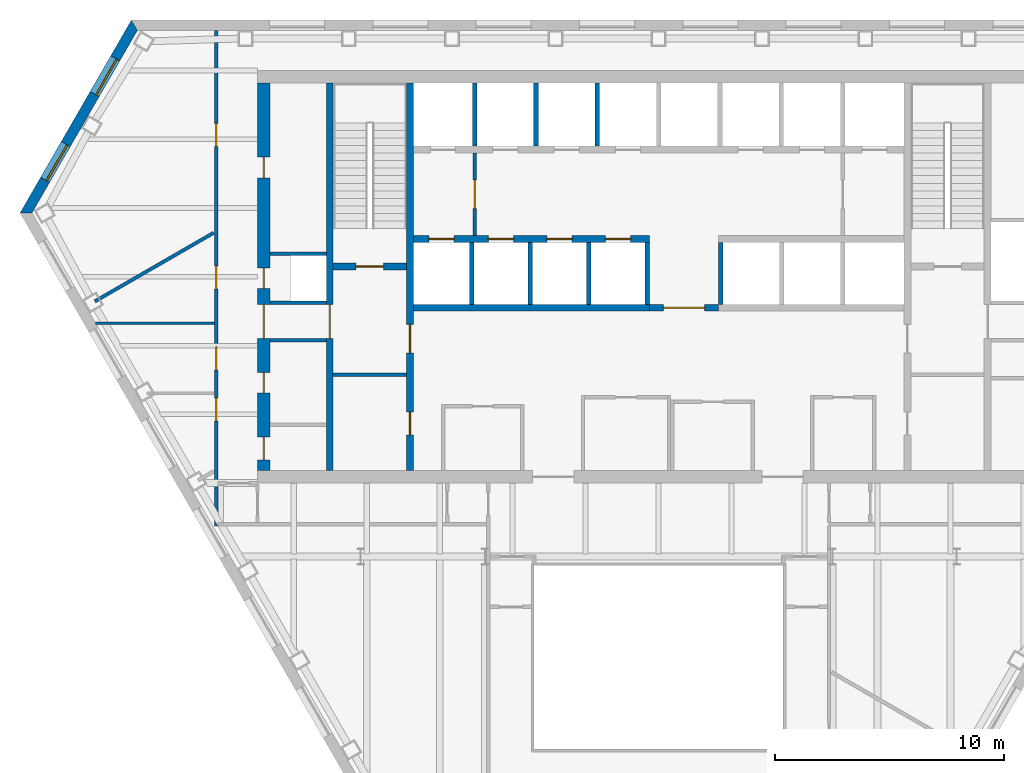
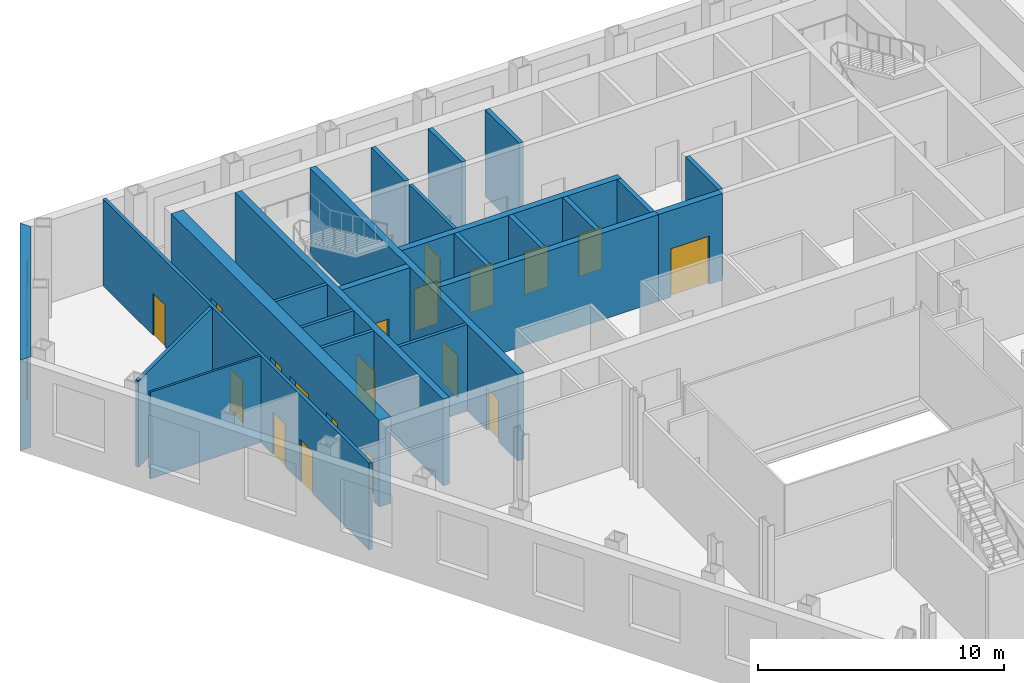
# One storey, part 6 of 11: 24 walls, 19 doors, 2 windows, 21 openings.
"""IFC4 building model written with IfcOpenShell, lengths in metres."""

import ifcopenshell
import ifcopenshell.guid

model = None  # the IFC model being written
_history = None  # IfcOwnerHistory: only IFC2X3 demands one
_inside = {}  # id of a spatial element -> (the spatial element, [elements in it])
_under = {}  # id of a project, library or spatial element -> (it, [spatial elements below it])
_declared = {}  # id of a project -> (the project, [libraries it declares])
_typed = {}  # id of a type object -> (the type object, [elements of that type])
_made_of = {}  # id of a material, layer set ... -> (it, [elements and type objects made of it])


def new_model(schema):
    """Start an empty IFC model of exactly this schema.

    Asked for "IFC4X3", IfcOpenShell would pick the latest addendum, in which some entities
    have other attributes; the version numbers below select the first issue.
    IFC2X3 requires an IfcOwnerHistory on every rooted entity: one is made here for all.
    """
    global model, _history
    if schema == "IFC4X3":
        model = ifcopenshell.file(schema_version=(4, 3, 0, 0))
    else:
        model = ifcopenshell.file(schema=schema)
    _inside.clear()
    _under.clear()
    _declared.clear()
    _typed.clear()
    _made_of.clear()
    _history = None
    if model.schema == "IFC2X3":
        org = make("IfcOrganization", Name="unknown")
        user = make(
            "IfcPersonAndOrganization",
            ThePerson=make("IfcPerson", FamilyName="unknown"),
            TheOrganization=org,
        )
        app = make(
            "IfcApplication",
            ApplicationDeveloper=org,
            Version="unknown",
            ApplicationFullName="unknown",
            ApplicationIdentifier="unknown",
        )
        _history = make(
            "IfcOwnerHistory",
            OwningUser=user,
            OwningApplication=app,
            ChangeAction="ADDED",
            CreationDate=0,
        )
    return model


def make(cls, **values):
    """One entity of the class cls with the attributes given. An attribute that is None is left unset."""
    return model.create_entity(
        cls, **{name: value for name, value in values.items() if value is not None}
    )


def rooted(cls, **values):
    """An entity with a GlobalId (a new one), such as an element, a storey or a relation."""
    return make(cls, GlobalId=ifcopenshell.guid.new(), OwnerHistory=_history, **values)


def si_unit(unit_type, name, prefix=None):
    """IfcSIUnit, for example si_unit("LENGTHUNIT", "METRE", prefix="MILLI")."""
    return make("IfcSIUnit", UnitType=unit_type, Prefix=prefix, Name=name)


def assignment(units):
    """IfcUnitAssignment: the units of a project."""
    return None if units is None else make("IfcUnitAssignment", Units=units)


def point(xyz):
    """IfcCartesianPoint."""
    return None if xyz is None else make("IfcCartesianPoint", Coordinates=xyz)


def direction(xyz):
    """IfcDirection."""
    return None if xyz is None else make("IfcDirection", DirectionRatios=xyz)


def frame(location, z_axis=None, x_axis=None):
    """IfcAxis2Placement3D, a coordinate frame: its origin and axes. An axis left out is left unset."""
    return make(
        "IfcAxis2Placement3D",
        Location=point(location),
        Axis=direction(z_axis),
        RefDirection=direction(x_axis),
    )


def frame_2d(location, x_axis=None):
    """IfcAxis2Placement2D, a coordinate frame in the plane: its origin and x axis."""
    return make(
        "IfcAxis2Placement2D", Location=point(location), RefDirection=direction(x_axis)
    )


def origin():
    """The frame at (0, 0, 0) with its axes left unset."""
    return frame((0.0, 0.0, 0.0))


def place(relative_to, where):
    """IfcLocalPlacement: puts the frame where relative to a parent placement (None: the world)."""
    return make(
        "IfcLocalPlacement", PlacementRelTo=relative_to, RelativePlacement=where
    )


def context(
    kind, dimensions, precision=None, world=None, true_north=None, identifier=None
):
    """IfcGeometricRepresentationContext, for example the 3D "Model" context."""
    return make(
        "IfcGeometricRepresentationContext",
        ContextIdentifier=identifier,
        ContextType=kind,
        CoordinateSpaceDimension=dimensions,
        Precision=precision,
        WorldCoordinateSystem=world,
        TrueNorth=true_north,
    )


def subcontext(parent, identifier, kind, view, scale=None):
    """IfcGeometricRepresentationSubContext, for example "Body" below "Model"."""
    return make(
        "IfcGeometricRepresentationSubContext",
        ContextIdentifier=identifier,
        ContextType=kind,
        ParentContext=parent,
        TargetScale=scale,
        TargetView=view,
    )


def project(units=None, contexts=None):
    """IfcProject with its units and contexts."""
    return rooted(
        "IfcProject",
        Name="project",
        RepresentationContexts=contexts,
        UnitsInContext=assignment(units),
    )


def spatial(cls, under=None, at=None, **own):
    """A site, building, storey or space (cls), placed at a placement, below another one or the project."""
    s = rooted(cls, ObjectPlacement=at, **own)
    if under is not None:
        _under.setdefault(under.id(), (under, []))[1].append(s)
    return s


def polyline(points):
    """IfcPolyline through the points."""
    return make("IfcPolyline", Points=[point(p) for p in points])


def profile(cls, at=None, kind="AREA", **sizes):
    """A parametric profile (cls). Its sizes go by their IFC names, for example OverallWidth=200.0."""
    return make(cls, ProfileType=kind, Position=at, **sizes)


def rectangle(**sizes):
    """IfcRectangleProfileDef."""
    return profile("IfcRectangleProfileDef", **sizes)


def outline(outer, holes=None, kind="AREA"):
    """IfcArbitraryClosedProfileDef: a profile drawn as a closed curve; with holes, ...WithVoids."""
    if holes is None:
        return make("IfcArbitraryClosedProfileDef", ProfileType=kind, OuterCurve=outer)
    return make(
        "IfcArbitraryProfileDefWithVoids",
        ProfileType=kind,
        OuterCurve=outer,
        InnerCurves=holes,
    )


def extrude(swept, where, along, depth):
    """IfcExtrudedAreaSolid: the profile swept, set in the frame where, extruded along a direction by depth."""
    return make(
        "IfcExtrudedAreaSolid",
        SweptArea=swept,
        Position=where,
        ExtrudedDirection=direction(along),
        Depth=depth,
    )


def shape(context_of_items, identifier, shape_type, items):
    """IfcShapeRepresentation: the items that make up one representation, for example the "Body"."""
    return make(
        "IfcShapeRepresentation",
        ContextOfItems=context_of_items,
        RepresentationIdentifier=identifier,
        RepresentationType=shape_type,
        Items=items,
    )


def material(Name=None, Category=None):
    """IfcMaterial."""
    return make("IfcMaterial", Name=Name, Category=Category)


def layer(
    of_material, thickness, ventilated=None, Name=None, Category=None, Priority=None
):
    """IfcMaterialLayer: one layer of a wall or slab, of a material (None: an air gap)."""
    return make(
        "IfcMaterialLayer",
        Material=of_material,
        LayerThickness=thickness,
        IsVentilated=ventilated,
        Name=Name,
        Category=Category,
        Priority=Priority,
    )


def layer_set(layers, Name=None):
    """IfcMaterialLayerSet."""
    return make("IfcMaterialLayerSet", MaterialLayers=layers, LayerSetName=Name)


def made_of(thing, what):
    """Note that an element or type object is made of a material, layer set ...; save() writes the relation."""
    if what is not None:
        _made_of.setdefault(what.id(), (what, []))[1].append(thing)
    return thing


def type_object(cls, material=None, **own):
    """A type object (cls), such as IfcWallType, which elements share."""
    return made_of(rooted(cls, **own), material)


def element(
    cls,
    number,
    at=None,
    inside=None,
    cuts=None,
    type_object=None,
    material=None,
    context=None,
    identifier="Body",
    shape_type=None,
    held_by="IfcProductDefinitionShape",
    body=None,
    shapes=None,
    **own,
):
    """One element of the class cls, such as IfcWall. Its Tag is "e" and its number.

    at: its placement. inside: the storey or other place that contains it. cuts: it is an
    opening in that element (IfcRelVoidsElement). A single representation is given by context,
    identifier, shape_type and body (its items); several are given by shapes. held_by: the class
    of the entity that holds the representations. save() writes the other relations.
    """
    e = rooted(cls, Tag="e%d" % number, ObjectPlacement=at, **own)
    if body is not None:
        shapes = [shape(context, identifier, shape_type, body)]
    if shapes is not None:
        e.Representation = make(held_by, Representations=shapes)
    if inside is not None:
        _inside.setdefault(inside.id(), (inside, []))[1].append(e)
    if cuts is not None:
        rooted(
            "IfcRelVoidsElement", RelatingBuildingElement=cuts, RelatedOpeningElement=e
        )
    if type_object is not None:
        _typed.setdefault(type_object.id(), (type_object, []))[1].append(e)
    return made_of(e, material)


def fill(opening, filler):
    """IfcRelFillsElement: the door or window that sits in an opening."""
    return rooted(
        "IfcRelFillsElement",
        RelatingOpeningElement=opening,
        RelatedBuildingElement=filler,
    )


def aggregate(whole, parts):
    """IfcRelAggregates: a whole, such as a stair, and the parts it consists of."""
    return rooted("IfcRelAggregates", RelatingObject=whole, RelatedObjects=parts)


def save(model, path):
    """Write the relations noted so far, then the file.

    IfcRelAggregates (storeys below a building ...), IfcRelContainedInSpatialStructure (elements
    in a storey), IfcRelDefinesByType, IfcRelAssociatesMaterial and IfcRelDeclares: one each for
    every whole, place, type object, material and project.
    """
    for whole, parts in _under.values():
        aggregate(whole, parts)
    for where, things in _inside.values():
        rooted(
            "IfcRelContainedInSpatialStructure",
            RelatedElements=things,
            RelatingStructure=where,
        )
    for kind, things in _typed.values():
        rooted("IfcRelDefinesByType", RelatedObjects=things, RelatingType=kind)
    for what, things in _made_of.values():
        rooted("IfcRelAssociatesMaterial", RelatedObjects=things, RelatingMaterial=what)
    for by, libraries in _declared.values():
        rooted("IfcRelDeclares", RelatingContext=by, RelatedDefinitions=libraries)
    model.write(path)


model = new_model("IFC4")

# Units and contexts
model_context = context("Model", 3, precision=1e-05, world=origin(), true_north=direction((0.0, 1.0)))
body_context = subcontext(model_context, "Body", "Model", "MODEL_VIEW")
ifc_project = project(units=[si_unit("LENGTHUNIT", "METRE"), si_unit("AREAUNIT", "SQUARE_METRE"), si_unit("VOLUMEUNIT", "CUBIC_METRE"), si_unit("PLANEANGLEUNIT", "RADIAN"), si_unit("MASSUNIT", "GRAM", prefix="KILO")], contexts=[model_context])

# Site, building, storey
site_placement = place(None, origin())
site = spatial("IfcSite", under=ifc_project, at=site_placement, CompositionType="ELEMENT")
building_placement = place(site_placement, origin())
building = spatial("IfcBuilding", under=site, at=building_placement, Name="Njiva Tower", CompositionType="ELEMENT")
storey_placement = place(building_placement, frame((0.0, 0.0, 115.8)))
storey = spatial("IfcBuildingStorey", under=building, at=storey_placement, Name="L24", CompositionType="ELEMENT", Elevation=115.8)

# Wall
ifc_material_1 = material(Name="Blockwork", Category="masonry")
ifc_layer_1 = layer(ifc_material_1, 0.15)
ifc_layer_set_1 = layer_set([ifc_layer_1], Name="Blockwork")
wall_type_1 = type_object("IfcWallType", Name="WT1 Compartment partition 150", PredefinedType="PARTITIONING", material=ifc_layer_set_1)
wall_1_placement = place(storey_placement, frame((-14.2, 4.725, 0.0), z_axis=(0.0, 0.0, 1.0), x_axis=(1.0, 0.0, 0.0)))
element("IfcWall", 1, at=wall_1_placement, inside=storey, type_object=wall_type_1, Name="Room wall A", PredefinedType="PARTITIONING", context=body_context, shape_type="SweptSolid", body=[
    extrude(rectangle(XDim=3.2, YDim=0.15, at=frame_2d((1.6, 0.0))), origin(), (0.0, 0.0, 1.0), 4.3),
])

# Wall, openings, doors
ifc_material_2 = material(Name="Concrete C40/50", Category="concrete")
ifc_layer_2 = layer(ifc_material_2, 0.3)
ifc_layer_set_2 = layer_set([ifc_layer_2], Name="Concrete C40/50")
wall_type_2 = type_object("IfcWallType", Name="WT10 Stair enclosure wall 300", PredefinedType="SHEAR", material=ifc_layer_set_2)
wall_2_placement = place(storey_placement, frame((-10.85, 0.55, 0.0), z_axis=(0.0, 0.0, 1.0), x_axis=(0.0, 1.0, 0.0)))
wall_2 = element("IfcWall", 2, at=wall_2_placement, inside=storey, type_object=wall_type_2, Name="Stair wall west inner", PredefinedType="SHEAR", context=body_context, shape_type="SweptSolid", body=[
    extrude(rectangle(XDim=16.9, YDim=0.3, at=frame_2d((8.45, 0.0))), origin(), (0.0, 0.0, 1.0), 4.3),
])
opening_1_placement = place(wall_2_placement, frame((5.125, 0.0, 0.0)))
opening_1 = element("IfcOpeningElement", 3, at=opening_1_placement, cuts=wall_2, Name="Opening S08-D914", PredefinedType="OPENING", context=body_context, shape_type="SweptSolid", body=[
    extrude(rectangle(XDim=1.25, YDim=2.1, at=frame_2d((0.625, 1.05))), frame((0.0, 0.16, 0.0), z_axis=(0.0, -1.0, 0.0), x_axis=(1.0, 0.0, 0.0)), (0.0, 0.0, 1.0), 0.32),
])
opening_2_placement = place(wall_2_placement, frame((1.55, 0.0, 0.0)))
opening_2 = element("IfcOpeningElement", 4, at=opening_2_placement, cuts=wall_2, Name="Opening S08-D915", PredefinedType="OPENING", context=body_context, shape_type="SweptSolid", body=[
    extrude(rectangle(XDim=1.0, YDim=2.1, at=frame_2d((0.5, 1.05))), frame((0.0, 0.16, 0.0), z_axis=(0.0, -1.0, 0.0), x_axis=(1.0, 0.0, 0.0)), (0.0, 0.0, 1.0), 0.32),
])
ifc_material_3 = material(Name="Steel door, painted", Category="steel")
door_type_1 = type_object("IfcDoorType", Name="D5 Steel door 1000x2100", OperationType="SINGLE_SWING_LEFT", PredefinedType="DOOR", material=ifc_material_3)
door_1_placement = place(opening_2_placement, origin())
door_1 = element("IfcDoor", 5, at=door_1_placement, inside=storey, type_object=door_type_1, Name="Quiet room door", OperationType="SINGLE_SWING_RIGHT", OverallHeight=2.1, OverallWidth=1.0, PredefinedType="DOOR", context=body_context, shape_type="SweptSolid", body=[
    extrude(rectangle(XDim=1.0, YDim=2.1, at=frame_2d((0.5, 1.05))), frame((0.0, 0.025, 0.0), z_axis=(0.0, -1.0, 0.0), x_axis=(1.0, 0.0, 0.0)), (0.0, 0.0, 1.0), 0.05),
])
fill(opening_2, door_1)
ifc_material_4 = material(Name="Glazed steel fire door", Category="steel")
door_type_2 = type_object("IfcDoorType", Name="D8 Vestibule corridor door 1250x2100 glazed", OperationType="SINGLE_SWING_LEFT", PredefinedType="DOOR", material=ifc_material_4)
door_2_placement = place(opening_1_placement, origin())
door_2 = element("IfcDoor", 6, at=door_2_placement, inside=storey, type_object=door_type_2, Name="Stair vestibule corridor door", OperationType="SINGLE_SWING_LEFT", OverallHeight=2.1, OverallWidth=1.25, PredefinedType="DOOR", context=body_context, shape_type="SweptSolid", body=[
    extrude(rectangle(XDim=1.25, YDim=2.1, at=frame_2d((0.625, 1.05))), frame((0.0, 0.025, 0.0), z_axis=(0.0, -1.0, 0.0), x_axis=(1.0, 0.0, 0.0)), (0.0, 0.0, 1.0), 0.05),
])
fill(opening_1, door_2)

# Wall, opening, door
wall_3_placement = place(storey_placement, frame((-14.35, 0.55, 0.0), z_axis=(0.0, 0.0, 1.0), x_axis=(0.0, 1.0, 0.0)))
wall_3 = element("IfcWall", 7, at=wall_3_placement, inside=storey, type_object=wall_type_2, Name="Stair wall west outer", PredefinedType="SHEAR", context=body_context, shape_type="SweptSolid", body=[
    extrude(rectangle(XDim=16.9, YDim=0.3, at=frame_2d((8.45, 0.0))), origin(), (0.0, 0.0, 1.0), 4.3),
])
opening_3_placement = place(wall_3_placement, frame((5.75, 0.0, 0.0)))
opening_3 = element("IfcOpeningElement", 8, at=opening_3_placement, cuts=wall_3, Name="Opening S08-D920", PredefinedType="OPENING", context=body_context, shape_type="SweptSolid", body=[
    extrude(rectangle(XDim=1.5, YDim=2.1, at=frame_2d((0.75, 1.05))), frame((0.0, 0.16, 0.0), z_axis=(0.0, -1.0, 0.0), x_axis=(1.0, 0.0, 0.0)), (0.0, 0.0, 1.0), 0.32),
])
door_type_3 = type_object("IfcDoorType", Name="D10 Exit door double 1500x2100 glazed", OperationType="DOUBLE_DOOR_SINGLE_SWING", PredefinedType="DOOR", material=ifc_material_4)
door_3_placement = place(opening_3_placement, origin())
door_3 = element("IfcDoor", 9, at=door_3_placement, inside=storey, type_object=door_type_3, Name="Stair A passage door", OperationType="DOUBLE_DOOR_SINGLE_SWING", OverallHeight=2.1, OverallWidth=1.5, PredefinedType="DOOR", context=body_context, shape_type="SweptSolid", body=[
    extrude(rectangle(XDim=1.5, YDim=2.1, at=frame_2d((0.75, 1.05))), frame((0.0, 0.025, 0.0), z_axis=(0.0, -1.0, 0.0), x_axis=(1.0, 0.0, 0.0)), (0.0, 0.0, 1.0), 0.05),
])
fill(opening_3, door_3)

wall_4_placement = place(storey_placement, frame((-14.2, 9.45, 0.0), z_axis=(0.0, 0.0, 1.0), x_axis=(1.0, 0.0, 0.0)))
wall_4 = element("IfcWall", 10, at=wall_4_placement, inside=storey, type_object=wall_type_2, Name="Stair A south wall", PredefinedType="SHEAR", context=body_context, shape_type="SweptSolid", body=[
    extrude(rectangle(XDim=3.2, YDim=0.3, at=frame_2d((1.6, 0.0))), origin(), (0.0, 0.0, 1.0), 4.3),
])
opening_4_placement = place(wall_4_placement, frame((1.0, 0.0, 0.0)))
opening_4 = element("IfcOpeningElement", 11, at=opening_4_placement, cuts=wall_4, Name="Opening S08-D913", PredefinedType="OPENING", context=body_context, shape_type="SweptSolid", body=[
    extrude(rectangle(XDim=1.2, YDim=2.1, at=frame_2d((0.6, 1.05))), frame((0.0, 0.16, 0.0), z_axis=(0.0, -1.0, 0.0), x_axis=(1.0, 0.0, 0.0)), (0.0, 0.0, 1.0), 0.32),
])
door_type_4 = type_object("IfcDoorType", Name="D7 Stair vestibule door 1200x2100 glazed", OperationType="SINGLE_SWING_LEFT", PredefinedType="DOOR", material=ifc_material_4)
door_4_placement = place(opening_4_placement, origin())
door_4 = element("IfcDoor", 12, at=door_4_placement, inside=storey, type_object=door_type_4, Name="Stair A door", OperationType="SINGLE_SWING_LEFT", OverallHeight=2.1, OverallWidth=1.2, PredefinedType="DOOR", context=body_context, shape_type="SweptSolid", body=[
    extrude(rectangle(XDim=1.2, YDim=2.1, at=frame_2d((0.6, 1.05))), frame((0.0, 0.025, 0.0), z_axis=(0.0, -1.0, 0.0), x_axis=(1.0, 0.0, 0.0)), (0.0, 0.0, 1.0), 0.05),
])
fill(opening_4, door_4)

# Wall, openings, doors
ifc_material_5 = material(Name="Concrete C60/75", Category="concrete")
ifc_layer_3 = layer(ifc_material_5, 0.55)
ifc_layer_set_3 = layer_set([ifc_layer_3], Name="Concrete C60/75")
wall_type_3 = type_object("IfcWallType", Name="WT14 Core wall 550", PredefinedType="SHEAR", material=ifc_layer_set_3)
wall_5_placement = place(storey_placement, frame((-17.225, 0.55, 0.0), z_axis=(0.0, 0.0, 1.0), x_axis=(0.0, 1.0, 0.0)))
wall_5 = element("IfcWall", 13, at=wall_5_placement, inside=storey, type_object=wall_type_3, Name="Core wall west", PredefinedType="SHEAR", context=body_context, shape_type="SweptSolid", body=[
    extrude(rectangle(XDim=16.9, YDim=0.55, at=frame_2d((8.45, 0.0))), origin(), (0.0, 0.0, 1.0), 4.3),
])
opening_5_placement = place(wall_5_placement, frame((5.75, 0.0, 0.0)))
opening_5 = element("IfcOpeningElement", 14, at=opening_5_placement, cuts=wall_5, Name="Opening S08-D921", PredefinedType="OPENING", context=body_context, shape_type="SweptSolid", body=[
    extrude(rectangle(XDim=1.5, YDim=2.1, at=frame_2d((0.75, 1.05))), frame((0.0, 0.285, 0.0), z_axis=(0.0, -1.0, 0.0), x_axis=(1.0, 0.0, 0.0)), (0.0, 0.0, 1.0), 0.57),
])
opening_6_placement = place(wall_5_placement, frame((0.4618, 0.0, 0.0)))
opening_6 = element("IfcOpeningElement", 15, at=opening_6_placement, cuts=wall_5, Name="Opening S08-D922", PredefinedType="OPENING", context=body_context, shape_type="SweptSolid", body=[
    extrude(rectangle(XDim=1.0, YDim=2.1, at=frame_2d((0.5, 1.05))), frame((0.0, 0.285, 0.0), z_axis=(0.0, -1.0, 0.0), x_axis=(1.0, 0.0, 0.0)), (0.0, 0.0, 1.0), 0.57),
])
opening_7_placement = place(wall_5_placement, frame((3.3868, 0.0, 0.0)))
opening_7 = element("IfcOpeningElement", 16, at=opening_7_placement, cuts=wall_5, Name="Opening S08-D923", PredefinedType="OPENING", context=body_context, shape_type="SweptSolid", body=[
    extrude(rectangle(XDim=0.9, YDim=2.1, at=frame_2d((0.45, 1.05))), frame((0.0, 0.285, 0.0), z_axis=(0.0, -1.0, 0.0), x_axis=(1.0, 0.0, 0.0)), (0.0, 0.0, 1.0), 0.57),
])
opening_8_placement = place(wall_5_placement, frame((7.9417, 0.0, 0.0)))
opening_8 = element("IfcOpeningElement", 17, at=opening_8_placement, cuts=wall_5, Name="Opening S08-D924", PredefinedType="OPENING", context=body_context, shape_type="SweptSolid", body=[
    extrude(rectangle(XDim=0.9, YDim=2.1, at=frame_2d((0.45, 1.05))), frame((0.0, 0.285, 0.0), z_axis=(0.0, -1.0, 0.0), x_axis=(1.0, 0.0, 0.0)), (0.0, 0.0, 1.0), 0.57),
])
opening_9_placement = place(wall_5_placement, frame((12.7667, 0.0, 0.0)))
opening_9 = element("IfcOpeningElement", 18, at=opening_9_placement, cuts=wall_5, Name="Opening S08-D925", PredefinedType="OPENING", context=body_context, shape_type="SweptSolid", body=[
    extrude(rectangle(XDim=0.9, YDim=2.1, at=frame_2d((0.45, 1.05))), frame((0.0, 0.285, 0.0), z_axis=(0.0, -1.0, 0.0), x_axis=(1.0, 0.0, 0.0)), (0.0, 0.0, 1.0), 0.57),
])
door_5_placement = place(opening_5_placement, origin())
door_5 = element("IfcDoor", 19, at=door_5_placement, inside=storey, type_object=door_type_3, Name="Stair A corridor door", OperationType="DOUBLE_DOOR_SINGLE_SWING", OverallHeight=2.1, OverallWidth=1.5, PredefinedType="DOOR", context=body_context, shape_type="SweptSolid", body=[
    extrude(rectangle(XDim=1.5, YDim=2.1, at=frame_2d((0.75, 1.05))), frame((0.0, 0.025, 0.0), z_axis=(0.0, -1.0, 0.0), x_axis=(1.0, 0.0, 0.0)), (0.0, 0.0, 1.0), 0.05),
])
fill(opening_5, door_5)
door_type_5 = type_object("IfcDoorType", Name="D4 Riser door 900x2100", OperationType="SINGLE_SWING_LEFT", PredefinedType="DOOR", material=ifc_material_3)
door_6_placement = place(opening_8_placement, origin())
door_6 = element("IfcDoor", 20, at=door_6_placement, inside=storey, type_object=door_type_5, Name="Riser door", OperationType="SINGLE_SWING_RIGHT", OverallHeight=2.1, OverallWidth=0.9, PredefinedType="DOOR", context=body_context, shape_type="SweptSolid", body=[
    extrude(rectangle(XDim=0.9, YDim=2.1, at=frame_2d((0.45, 1.05))), frame((0.0, 0.025, 0.0), z_axis=(0.0, -1.0, 0.0), x_axis=(1.0, 0.0, 0.0)), (0.0, 0.0, 1.0), 0.05),
])
fill(opening_8, door_6)
door_7_placement = place(opening_6_placement, origin())
door_7 = element("IfcDoor", 21, at=door_7_placement, inside=storey, type_object=door_type_1, Name="Electrical room door", OperationType="SINGLE_SWING_LEFT", OverallHeight=2.1, OverallWidth=1.0, PredefinedType="DOOR", context=body_context, shape_type="SweptSolid", body=[
    extrude(rectangle(XDim=1.0, YDim=2.1, at=frame_2d((0.5, 1.05))), frame((0.0, 0.025, 0.0), z_axis=(0.0, -1.0, 0.0), x_axis=(1.0, 0.0, 0.0)), (0.0, 0.0, 1.0), 0.05),
])
fill(opening_6, door_7)
ifc_material_6 = material(Name="Steel fire door, painted", Category="steel")
door_type_6 = type_object("IfcDoorType", Name="D6 Fire-rated door 900x2100", OperationType="SINGLE_SWING_LEFT", PredefinedType="DOOR", material=ifc_material_6)
door_8_placement = place(opening_7_placement, origin())
door_8 = element("IfcDoor", 22, at=door_8_placement, inside=storey, type_object=door_type_6, Name="Quiet room door", OperationType="SINGLE_SWING_LEFT", OverallHeight=2.1, OverallWidth=0.9, PredefinedType="DOOR", context=body_context, shape_type="SweptSolid", body=[
    extrude(rectangle(XDim=0.9, YDim=2.1, at=frame_2d((0.45, 1.05))), frame((0.0, 0.025, 0.0), z_axis=(0.0, -1.0, 0.0), x_axis=(1.0, 0.0, 0.0)), (0.0, 0.0, 1.0), 0.05),
])
fill(opening_7, door_8)
door_9_placement = place(opening_9_placement, origin())
door_9 = element("IfcDoor", 23, at=door_9_placement, inside=storey, type_object=door_type_6, Name="Business centre door", OperationType="SINGLE_SWING_RIGHT", OverallHeight=2.1, OverallWidth=0.9, PredefinedType="DOOR", context=body_context, shape_type="SweptSolid", body=[
    extrude(rectangle(XDim=0.9, YDim=2.1, at=frame_2d((0.45, 1.05))), frame((0.0, 0.025, 0.0), z_axis=(0.0, -1.0, 0.0), x_axis=(1.0, 0.0, 0.0)), (0.0, 0.0, 1.0), 0.05),
])
fill(opening_9, door_9)

# Wall, opening, door
ifc_layer_4 = layer(ifc_material_1, 0.15)
ifc_layer_set_4 = layer_set([ifc_layer_4], Name="Blockwork")
wall_type_4 = type_object("IfcWallType", Name="WT2 Lobby partition 150", PredefinedType="PARTITIONING", material=ifc_layer_set_4)
wall_6_placement = place(storey_placement, frame((-8.025, 10.8, 0.0), z_axis=(0.0, 0.0, 1.0), x_axis=(0.0, 1.0, 0.0)))
wall_6 = element("IfcWall", 24, at=wall_6_placement, inside=storey, type_object=wall_type_4, Name="Firefighting lobby wall A", PredefinedType="PARTITIONING", context=body_context, shape_type="SweptSolid", body=[
    extrude(rectangle(XDim=3.6, YDim=0.15, at=frame_2d((1.8, 0.0))), origin(), (0.0, 0.0, 1.0), 4.3),
])
opening_10_placement = place(wall_6_placement, frame((1.175, 0.0, 0.0)))
opening_10 = element("IfcOpeningElement", 25, at=opening_10_placement, cuts=wall_6, Name="Opening S08-D912", PredefinedType="OPENING", context=body_context, shape_type="SweptSolid", body=[
    extrude(rectangle(XDim=1.25, YDim=2.1, at=frame_2d((0.625, 1.05))), frame((0.0, 0.085, 0.0), z_axis=(0.0, -1.0, 0.0), x_axis=(1.0, 0.0, 0.0)), (0.0, 0.0, 1.0), 0.17),
])
door_10_placement = place(opening_10_placement, origin())
door_10 = element("IfcDoor", 26, at=door_10_placement, inside=storey, type_object=door_type_2, Name="Stair vestibule corridor door", OperationType="SINGLE_SWING_RIGHT", OverallHeight=2.1, OverallWidth=1.25, PredefinedType="DOOR", context=body_context, shape_type="SweptSolid", body=[
    extrude(rectangle(XDim=1.25, YDim=2.1, at=frame_2d((0.625, 1.05))), frame((0.0, 0.025, 0.0), z_axis=(0.0, -1.0, 0.0), x_axis=(1.0, 0.0, 0.0)), (0.0, 0.0, 1.0), 0.05),
])
fill(opening_10, door_10)

# Walls
ifc_material_7 = material(Name="Gypsum board on steel studs", Category="gypsum")
ifc_layer_5 = layer(ifc_material_7, 0.1)
ifc_layer_set_5 = layer_set([ifc_layer_5], Name="Gypsum board on steel studs")
wall_type_5 = type_object("IfcWallType", Name="WT20 Gypsum partition 100", PredefinedType="PARTITIONING", material=ifc_layer_set_5)
wall_7_placement = place(storey_placement, frame((-24.557, 6.97, 0.0), z_axis=(0.0, 0.0, 1.0), x_axis=(1.0, 0.0, 0.0)))
element("IfcWall", 27, at=wall_7_placement, inside=storey, type_object=wall_type_5, Name="Partition S08-P002", PredefinedType="PARTITIONING", context=body_context, shape_type="SweptSolid", body=[
    extrude(rectangle(XDim=5.182, YDim=0.1, at=frame_2d((2.591, 0.0))), origin(), (0.0, 0.0, 1.0), 4.3),
])
ifc_layer_6 = layer(ifc_material_7, 0.15)
ifc_layer_set_6 = layer_set([ifc_layer_6], Name="Gypsum board on steel studs")
wall_type_6 = type_object("IfcWallType", Name="WT21 Compartment wall 150", PredefinedType="PARTITIONING", material=ifc_layer_set_6)
wall_8_placement = place(storey_placement, frame((-24.592, 7.93, 0.0), z_axis=(0.0, 0.0, 1.0), x_axis=(0.866146611104, 0.499790003975, 0.0)))
element("IfcWall", 28, at=wall_8_placement, inside=storey, type_object=wall_type_6, Name="Partition S08-P001", PredefinedType="PARTITIONING", context=body_context, shape_type="SweptSolid", body=[
    extrude(rectangle(XDim=5.9805, YDim=0.15, at=frame_2d((2.9902, 0.0))), origin(), (0.0, 0.0, 1.0), 4.3),
])

# Wall, openings, doors
wall_9_placement = place(storey_placement, frame((-19.3, -1.875, 0.0), z_axis=(0.0, 0.0, 1.0), x_axis=(0.0, 1.0, 0.0)))
wall_9 = element("IfcWall", 29, at=wall_9_placement, inside=storey, type_object=wall_type_6, Name="Partition S08-P005", PredefinedType="PARTITIONING", context=body_context, shape_type="SweptSolid", body=[
    extrude(rectangle(XDim=21.622, YDim=0.15, at=frame_2d((10.811, 0.0))), origin(), (0.0, 0.0, 1.0), 4.3),
])
opening_11_placement = place(wall_9_placement, frame((4.595, 0.0, 0.0)))
opening_11 = element("IfcOpeningElement", 30, at=opening_11_placement, cuts=wall_9, Name="Opening S08-D001", PredefinedType="OPENING", context=body_context, shape_type="SweptSolid", body=[
    extrude(rectangle(XDim=1.0, YDim=2.1, at=frame_2d((0.5, 1.05))), frame((0.0, 0.085, 0.0), z_axis=(0.0, -1.0, 0.0), x_axis=(1.0, 0.0, 0.0)), (0.0, 0.0, 1.0), 0.17),
])
opening_12_placement = place(wall_9_placement, frame((6.82, 0.0, 0.0)))
opening_12 = element("IfcOpeningElement", 31, at=opening_12_placement, cuts=wall_9, Name="Opening S08-D002", PredefinedType="OPENING", context=body_context, shape_type="SweptSolid", body=[
    extrude(rectangle(XDim=1.0, YDim=2.1, at=frame_2d((0.5, 1.05))), frame((0.0, 0.085, 0.0), z_axis=(0.0, -1.0, 0.0), x_axis=(1.0, 0.0, 0.0)), (0.0, 0.0, 1.0), 0.17),
])
opening_13_placement = place(wall_9_placement, frame((10.351, 0.0, 0.0)))
opening_13 = element("IfcOpeningElement", 32, at=opening_13_placement, cuts=wall_9, Name="Opening S08-D003", PredefinedType="OPENING", context=body_context, shape_type="SweptSolid", body=[
    extrude(rectangle(XDim=1.0, YDim=2.1, at=frame_2d((0.5, 1.05))), frame((0.0, 0.085, 0.0), z_axis=(0.0, -1.0, 0.0), x_axis=(1.0, 0.0, 0.0)), (0.0, 0.0, 1.0), 0.17),
])
opening_14_placement = place(wall_9_placement, frame((16.565, 0.0, 0.0)))
opening_14 = element("IfcOpeningElement", 33, at=opening_14_placement, cuts=wall_9, Name="Opening S08-D004", PredefinedType="OPENING", context=body_context, shape_type="SweptSolid", body=[
    extrude(rectangle(XDim=1.0, YDim=2.1, at=frame_2d((0.5, 1.05))), frame((0.0, 0.085, 0.0), z_axis=(0.0, -1.0, 0.0), x_axis=(1.0, 0.0, 0.0)), (0.0, 0.0, 1.0), 0.17),
])
ifc_material_8 = material(Name="Steel fire door set", Category="steel")
door_type_7 = type_object("IfcDoorType", Name="D37 Fire door 1000x2100", OperationType="SINGLE_SWING_LEFT", PredefinedType="DOOR", material=ifc_material_8)
door_11_placement = place(opening_11_placement, origin())
door_11 = element("IfcDoor", 34, at=door_11_placement, inside=storey, type_object=door_type_7, Name="Door S08-D001", OperationType="SINGLE_SWING_RIGHT", OverallHeight=2.1, OverallWidth=1.0, PredefinedType="DOOR", context=body_context, shape_type="SweptSolid", body=[
    extrude(rectangle(XDim=1.0, YDim=2.1, at=frame_2d((0.5, 1.05))), frame((0.0, 0.025, 0.0), z_axis=(0.0, -1.0, 0.0), x_axis=(1.0, 0.0, 0.0)), (0.0, 0.0, 1.0), 0.05),
])
fill(opening_11, door_11)
door_12_placement = place(opening_12_placement, origin())
door_12 = element("IfcDoor", 35, at=door_12_placement, inside=storey, type_object=door_type_7, Name="Door S08-D002", OperationType="SINGLE_SWING_RIGHT", OverallHeight=2.1, OverallWidth=1.0, PredefinedType="DOOR", context=body_context, shape_type="SweptSolid", body=[
    extrude(rectangle(XDim=1.0, YDim=2.1, at=frame_2d((0.5, 1.05))), frame((0.0, 0.025, 0.0), z_axis=(0.0, -1.0, 0.0), x_axis=(1.0, 0.0, 0.0)), (0.0, 0.0, 1.0), 0.05),
])
fill(opening_12, door_12)
door_13_placement = place(opening_13_placement, origin())
door_13 = element("IfcDoor", 36, at=door_13_placement, inside=storey, type_object=door_type_7, Name="Door S08-D003", OperationType="SINGLE_SWING_LEFT", OverallHeight=2.1, OverallWidth=1.0, PredefinedType="DOOR", context=body_context, shape_type="SweptSolid", body=[
    extrude(rectangle(XDim=1.0, YDim=2.1, at=frame_2d((0.5, 1.05))), frame((0.0, 0.025, 0.0), z_axis=(0.0, -1.0, 0.0), x_axis=(1.0, 0.0, 0.0)), (0.0, 0.0, 1.0), 0.05),
])
fill(opening_13, door_13)
door_14_placement = place(opening_14_placement, origin())
door_14 = element("IfcDoor", 37, at=door_14_placement, inside=storey, type_object=door_type_7, Name="Door S08-D004", OperationType="SINGLE_SWING_LEFT", OverallHeight=2.1, OverallWidth=1.0, PredefinedType="DOOR", context=body_context, shape_type="SweptSolid", body=[
    extrude(rectangle(XDim=1.0, YDim=2.1, at=frame_2d((0.5, 1.05))), frame((0.0, 0.025, 0.0), z_axis=(0.0, -1.0, 0.0), x_axis=(1.0, 0.0, 0.0)), (0.0, 0.0, 1.0), 0.05),
])
fill(opening_14, door_14)

# Walls
ifc_layer_7 = layer(ifc_material_1, 0.15)
ifc_layer_set_7 = layer_set([ifc_layer_7], Name="Blockwork")
wall_type_7 = type_object("IfcWallType", Name="WT3 Riser partition 150", PredefinedType="PARTITIONING", material=ifc_layer_set_7)
wall_10_placement = place(storey_placement, frame((-16.95, 10.0083, 0.0), z_axis=(0.0, 0.0, 1.0), x_axis=(1.0, 0.0, 0.0)))
element("IfcWall", 38, at=wall_10_placement, inside=storey, type_object=wall_type_7, Name="Partition strip W10", PredefinedType="PARTITIONING", context=body_context, shape_type="SweptSolid", body=[
    extrude(rectangle(XDim=2.45, YDim=0.15, at=frame_2d((1.225, 0.0))), origin(), (0.0, 0.0, 1.0), 4.3),
])
ifc_layer_8 = layer(ifc_material_1, 0.15)
ifc_layer_set_8 = layer_set([ifc_layer_8], Name="Blockwork")
wall_type_8 = type_object("IfcWallType", Name="WT4 Stair partition 150", PredefinedType="PARTITIONING", material=ifc_layer_set_8)
for number, where, z_axis, x_axis, name in (
    (39, (-16.95, 6.225, 0.0), (0.0, 0.0, 1.0), (1.0, 0.0, 0.0), "Stair A exit passage wall south"),
    (40, (-16.95, 7.875, 0.0), (0.0, 0.0, 1.0), (1.0, 0.0, 0.0), "Stair A exit passage wall north"),
):
    element("IfcWall", number, at=place(storey_placement, frame(where, z_axis=z_axis, x_axis=x_axis)), inside=storey, type_object=wall_type_8, Name=name, PredefinedType="PARTITIONING", context=body_context, shape_type="SweptSolid", body=[
        extrude(rectangle(XDim=2.45, YDim=0.15, at=frame_2d((1.225, 0.0))), origin(), (0.0, 0.0, 1.0), 4.3),
    ])

# Wall, opening, door
ifc_layer_9 = layer(ifc_material_1, 0.3)
ifc_layer_set_9 = layer_set([ifc_layer_9], Name="Blockwork")
wall_type_9 = type_object("IfcWallType", Name="WT5 Lobby partition 300", PredefinedType="PARTITIONING", material=ifc_layer_set_9)
wall_11_placement = place(storey_placement, frame((-0.4, 7.65, 0.0), z_axis=(0.0, 0.0, 1.0), x_axis=(1.0, 0.0, 0.0)))
wall_11 = element("IfcWall", 41, at=wall_11_placement, inside=storey, type_object=wall_type_9, Name="Lift lobby screen wall", PredefinedType="PARTITIONING", context=body_context, shape_type="SweptSolid", body=[
    extrude(rectangle(XDim=3.0, YDim=0.3, at=frame_2d((1.5, 0.0))), origin(), (0.0, 0.0, 1.0), 4.3),
])
opening_15_placement = place(wall_11_placement, frame((0.6, 0.0, 0.0)))
opening_15 = element("IfcOpeningElement", 42, at=opening_15_placement, cuts=wall_11, Name="Opening S08-D936", PredefinedType="OPENING", context=body_context, shape_type="SweptSolid", body=[
    extrude(rectangle(XDim=1.8, YDim=2.4, at=frame_2d((0.9, 1.2))), frame((0.0, 0.16, 0.0), z_axis=(0.0, -1.0, 0.0), x_axis=(1.0, 0.0, 0.0)), (0.0, 0.0, 1.0), 0.32),
])
ifc_material_9 = material(Name="Steel and glass door", Category="steel")
door_type_8 = type_object("IfcDoorType", Name="D3 Core entrance door 1800x2400", OperationType="DOUBLE_DOOR_SINGLE_SWING", PredefinedType="DOOR", material=ifc_material_9)
door_15_placement = place(opening_15_placement, origin())
door_15 = element("IfcDoor", 43, at=door_15_placement, inside=storey, type_object=door_type_8, Name="Core entrance door", OperationType="DOUBLE_DOOR_SINGLE_SWING", OverallHeight=2.4, OverallWidth=1.8, PredefinedType="DOOR", context=body_context, shape_type="SweptSolid", body=[
    extrude(rectangle(XDim=1.8, YDim=2.4, at=frame_2d((0.9, 1.2))), frame((0.0, 0.025, 0.0), z_axis=(0.0, -1.0, 0.0), x_axis=(1.0, 0.0, 0.0)), (0.0, 0.0, 1.0), 0.05),
])
fill(opening_15, door_15)

# Walls
ifc_layer_10 = layer(ifc_material_2, 0.2)
ifc_layer_set_10 = layer_set([ifc_layer_10], Name="Concrete C40/50")
wall_type_10 = type_object("IfcWallType", Name="WT6 Lift shaft wall 200", PredefinedType="SHEAR", material=ifc_layer_set_10)
for number, where, z_axis, x_axis, name in (
    (44, (-8.025, 14.7, 0.0), (0.0, 0.0, 1.0), (0.0, 1.0, 0.0), "Shaft wall CN1"),
    (45, (-5.35, 14.7, 0.0), (0.0, 0.0, 1.0), (0.0, 1.0, 0.0), "Shaft wall CN2"),
    (46, (-2.675, 14.7, 0.0), (0.0, 0.0, 1.0), (0.0, 1.0, 0.0), "Shaft wall CN3"),
):
    element("IfcWall", number, at=place(storey_placement, frame(where, z_axis=z_axis, x_axis=x_axis)), inside=storey, type_object=wall_type_10, Name=name, PredefinedType="SHEAR", context=body_context, shape_type="SweptSolid", body=[
        extrude(rectangle(XDim=2.75, YDim=0.2, at=frame_2d((1.375, 0.0))), origin(), (0.0, 0.0, 1.0), 4.3),
    ])
for number, where, z_axis, x_axis, name in (
    (47, (-8.15, 7.8, 0.0), (0.0, 0.0, 1.0), (0.0, 1.0, 0.0), "Shaft wall CS1"),
    (48, (-5.6, 7.8, 0.0), (0.0, 0.0, 1.0), (0.0, 1.0, 0.0), "Shaft wall CS2"),
    (49, (-3.05, 7.8, 0.0), (0.0, 0.0, 1.0), (0.0, 1.0, 0.0), "Shaft wall CS3"),
    (50, (-0.5, 7.8, 0.0), (0.0, 0.0, 1.0), (0.0, 1.0, 0.0), "Shaft wall CS4"),
    (51, (2.7, 7.8, 0.0), (0.0, 0.0, 1.0), (0.0, 1.0, 0.0), "Shaft wall CS5"),
):
    element("IfcWall", number, at=place(storey_placement, frame(where, z_axis=z_axis, x_axis=x_axis)), inside=storey, type_object=wall_type_10, Name=name, PredefinedType="SHEAR", context=body_context, shape_type="SweptSolid", body=[
        extrude(rectangle(XDim=2.7, YDim=0.2, at=frame_2d((1.35, 0.0))), origin(), (0.0, 0.0, 1.0), 4.3),
    ])

# Wall, openings, doors
ifc_layer_11 = layer(ifc_material_2, 0.3)
ifc_layer_set_11 = layer_set([ifc_layer_11], Name="Concrete C40/50")
wall_type_11 = type_object("IfcWallType", Name="WT7 Lift shaft wall 300", PredefinedType="SHEAR", material=ifc_layer_set_11)
wall_12_placement = place(storey_placement, frame((-10.7, 10.65, 0.0), z_axis=(0.0, 0.0, 1.0), x_axis=(1.0, 0.0, 0.0)))
wall_12 = element("IfcWall", 52, at=wall_12_placement, inside=storey, type_object=wall_type_11, Name="Shaft wall south row lobby side W", PredefinedType="SHEAR", context=body_context, shape_type="SweptSolid", body=[
    extrude(rectangle(XDim=10.3, YDim=0.3, at=frame_2d((5.15, 0.0))), origin(), (0.0, 0.0, 1.0), 4.3),
])
opening_16_placement = place(wall_12_placement, frame((0.675, 0.0, 0.0)))
opening_16 = element("IfcOpeningElement", 53, at=opening_16_placement, cuts=wall_12, Name="Opening S08-D908", PredefinedType="OPENING", context=body_context, shape_type="SweptSolid", body=[
    extrude(rectangle(XDim=1.1, YDim=2.1, at=frame_2d((0.55, 1.05))), frame((0.0, 0.16, 0.0), z_axis=(0.0, -1.0, 0.0), x_axis=(1.0, 0.0, 0.0)), (0.0, 0.0, 1.0), 0.32),
])
opening_17_placement = place(wall_12_placement, frame((3.275, 0.0, 0.0)))
opening_17 = element("IfcOpeningElement", 54, at=opening_17_placement, cuts=wall_12, Name="Opening S08-D909", PredefinedType="OPENING", context=body_context, shape_type="SweptSolid", body=[
    extrude(rectangle(XDim=1.1, YDim=2.1, at=frame_2d((0.55, 1.05))), frame((0.0, 0.16, 0.0), z_axis=(0.0, -1.0, 0.0), x_axis=(1.0, 0.0, 0.0)), (0.0, 0.0, 1.0), 0.32),
])
opening_18_placement = place(wall_12_placement, frame((5.825, 0.0, 0.0)))
opening_18 = element("IfcOpeningElement", 55, at=opening_18_placement, cuts=wall_12, Name="Opening S08-D910", PredefinedType="OPENING", context=body_context, shape_type="SweptSolid", body=[
    extrude(rectangle(XDim=1.1, YDim=2.1, at=frame_2d((0.55, 1.05))), frame((0.0, 0.16, 0.0), z_axis=(0.0, -1.0, 0.0), x_axis=(1.0, 0.0, 0.0)), (0.0, 0.0, 1.0), 0.32),
])
opening_19_placement = place(wall_12_placement, frame((8.375, 0.0, 0.0)))
opening_19 = element("IfcOpeningElement", 56, at=opening_19_placement, cuts=wall_12, Name="Opening S08-D911", PredefinedType="OPENING", context=body_context, shape_type="SweptSolid", body=[
    extrude(rectangle(XDim=1.1, YDim=2.1, at=frame_2d((0.55, 1.05))), frame((0.0, 0.16, 0.0), z_axis=(0.0, -1.0, 0.0), x_axis=(1.0, 0.0, 0.0)), (0.0, 0.0, 1.0), 0.32),
])
ifc_material_10 = material(Name="Stainless steel sliding door", Category="steel")
door_type_9 = type_object("IfcDoorType", Name="LD Lift landing door 1100x2100", OperationType="SLIDING_TO_LEFT", PredefinedType="DOOR", material=ifc_material_10)
door_16_placement = place(opening_16_placement, origin())
door_16 = element("IfcDoor", 57, at=door_16_placement, inside=storey, type_object=door_type_9, Name="Lift landing door LB4", OperationType="SLIDING_TO_LEFT", OverallHeight=2.1, OverallWidth=1.1, PredefinedType="DOOR", context=body_context, shape_type="SweptSolid", body=[
    extrude(rectangle(XDim=1.1, YDim=2.1, at=frame_2d((0.55, 1.05))), frame((0.0, 0.025, 0.0), z_axis=(0.0, -1.0, 0.0), x_axis=(1.0, 0.0, 0.0)), (0.0, 0.0, 1.0), 0.05),
])
fill(opening_16, door_16)
door_17_placement = place(opening_17_placement, origin())
door_17 = element("IfcDoor", 58, at=door_17_placement, inside=storey, type_object=door_type_9, Name="Lift landing door LB5", OperationType="SLIDING_TO_LEFT", OverallHeight=2.1, OverallWidth=1.1, PredefinedType="DOOR", context=body_context, shape_type="SweptSolid", body=[
    extrude(rectangle(XDim=1.1, YDim=2.1, at=frame_2d((0.55, 1.05))), frame((0.0, 0.025, 0.0), z_axis=(0.0, -1.0, 0.0), x_axis=(1.0, 0.0, 0.0)), (0.0, 0.0, 1.0), 0.05),
])
fill(opening_17, door_17)
door_18_placement = place(opening_18_placement, origin())
door_18 = element("IfcDoor", 59, at=door_18_placement, inside=storey, type_object=door_type_9, Name="Lift landing door LB6", OperationType="SLIDING_TO_LEFT", OverallHeight=2.1, OverallWidth=1.1, PredefinedType="DOOR", context=body_context, shape_type="SweptSolid", body=[
    extrude(rectangle(XDim=1.1, YDim=2.1, at=frame_2d((0.55, 1.05))), frame((0.0, 0.025, 0.0), z_axis=(0.0, -1.0, 0.0), x_axis=(1.0, 0.0, 0.0)), (0.0, 0.0, 1.0), 0.05),
])
fill(opening_18, door_18)
door_19_placement = place(opening_19_placement, origin())
door_19 = element("IfcDoor", 60, at=door_19_placement, inside=storey, type_object=door_type_9, Name="Lift landing door LB7", OperationType="SLIDING_TO_LEFT", OverallHeight=2.1, OverallWidth=1.1, PredefinedType="DOOR", context=body_context, shape_type="SweptSolid", body=[
    extrude(rectangle(XDim=1.1, YDim=2.1, at=frame_2d((0.55, 1.05))), frame((0.0, 0.025, 0.0), z_axis=(0.0, -1.0, 0.0), x_axis=(1.0, 0.0, 0.0)), (0.0, 0.0, 1.0), 0.05),
])
fill(opening_19, door_19)

# Wall
wall_13_placement = place(storey_placement, frame((-10.7, 7.65, 0.0), z_axis=(0.0, 0.0, 1.0), x_axis=(1.0, 0.0, 0.0)))
element("IfcWall", 61, at=wall_13_placement, inside=storey, type_object=wall_type_11, Name="Shaft wall south row back W", PredefinedType="SHEAR", context=body_context, shape_type="SweptSolid", body=[
    extrude(rectangle(XDim=10.3, YDim=0.3, at=frame_2d((5.15, 0.0))), origin(), (0.0, 0.0, 1.0), 4.3),
])

# Wall, openings, windows
ifc_material_11 = material(Name="Brick masonry, buff", Category="masonry")
ifc_layer_12 = layer(ifc_material_11, 0.45)
ifc_layer_set_12 = layer_set([ifc_layer_12], Name="Brick masonry, buff")
wall_type_12 = type_object("IfcWallType", Name="WT94 Brick pier and spandrel wall 450, buff", PredefinedType="SOLIDWALL", material=ifc_layer_set_12)
wall_14_placement = place(storey_placement, frame((-22.8688, 19.9772, -0.4), z_axis=(0.0, 0.0, 1.0), x_axis=(-0.499998788182, -0.866026103427, 0.0)))
wall_14 = element("IfcWall", 62, at=wall_14_placement, inside=storey, type_object=wall_type_12, Name="Facade wall NW", PredefinedType="SOLIDWALL", context=body_context, shape_type="SweptSolid", body=[
    extrude(outline(polyline([(-0.1299, -0.225), (9.5901, -0.225), (9.3303, 0.225), (0.1299, 0.225), (-0.1299, -0.225)])), origin(), (0.0, 0.0, 1.0), 4.5),
])
opening_20_placement = place(wall_14_placement, frame((1.6694, 0.0, 1.3)))
opening_20 = element("IfcOpeningElement", 63, at=opening_20_placement, cuts=wall_14, Name="Opening S08-W09", PredefinedType="OPENING", context=body_context, shape_type="SweptSolid", body=[
    extrude(rectangle(XDim=1.8, YDim=2.6, at=frame_2d((0.9, 1.3))), frame((0.0, 0.235, 0.0), z_axis=(0.0, -1.0, 0.0), x_axis=(1.0, 0.0, 0.0)), (0.0, 0.0, 1.0), 0.47),
])
opening_21_placement = place(wall_14_placement, frame((5.9907, 0.0, 1.3)))
opening_21 = element("IfcOpeningElement", 64, at=opening_21_placement, cuts=wall_14, Name="Opening S08-W10", PredefinedType="OPENING", context=body_context, shape_type="SweptSolid", body=[
    extrude(rectangle(XDim=1.8, YDim=2.6, at=frame_2d((0.9, 1.3))), frame((0.0, 0.235, 0.0), z_axis=(0.0, -1.0, 0.0), x_axis=(1.0, 0.0, 0.0)), (0.0, 0.0, 1.0), 0.47),
])
ifc_material_12 = material(Name="Clear glazing in aluminium frame", Category="aluminium")
window_type = type_object("IfcWindowType", Name="W96 Deep-set window 1800x2600", PartitioningType="SINGLE_PANEL", PredefinedType="WINDOW", material=ifc_material_12)
window_1_placement = place(opening_20_placement, origin())
window_1 = element("IfcWindow", 65, at=window_1_placement, inside=storey, type_object=window_type, Name="Window", OverallHeight=2.6, OverallWidth=1.8, PartitioningType="SINGLE_PANEL", PredefinedType="WINDOW", context=body_context, shape_type="SweptSolid", body=[
    extrude(rectangle(XDim=1.8, YDim=2.6, at=frame_2d((0.9, 1.3))), frame((0.0, 0.105, 0.0), z_axis=(0.0, -1.0, 0.0), x_axis=(1.0, 0.0, 0.0)), (0.0, 0.0, 1.0), 0.06),
])
fill(opening_20, window_1)
window_2_placement = place(opening_21_placement, origin())
window_2 = element("IfcWindow", 66, at=window_2_placement, inside=storey, type_object=window_type, Name="Window", OverallHeight=2.6, OverallWidth=1.8, PartitioningType="SINGLE_PANEL", PredefinedType="WINDOW", context=body_context, shape_type="SweptSolid", body=[
    extrude(rectangle(XDim=1.8, YDim=2.6, at=frame_2d((0.9, 1.3))), frame((0.0, 0.105, 0.0), z_axis=(0.0, -1.0, 0.0), x_axis=(1.0, 0.0, 0.0)), (0.0, 0.0, 1.0), 0.06),
])
fill(opening_21, window_2)

save(model, "model.ifc")
